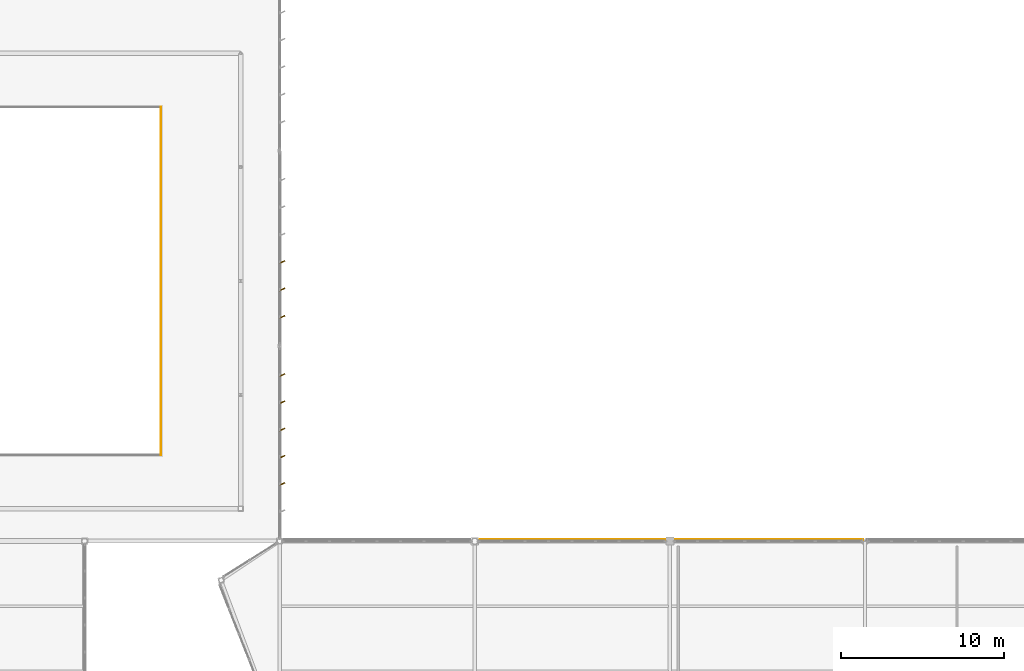
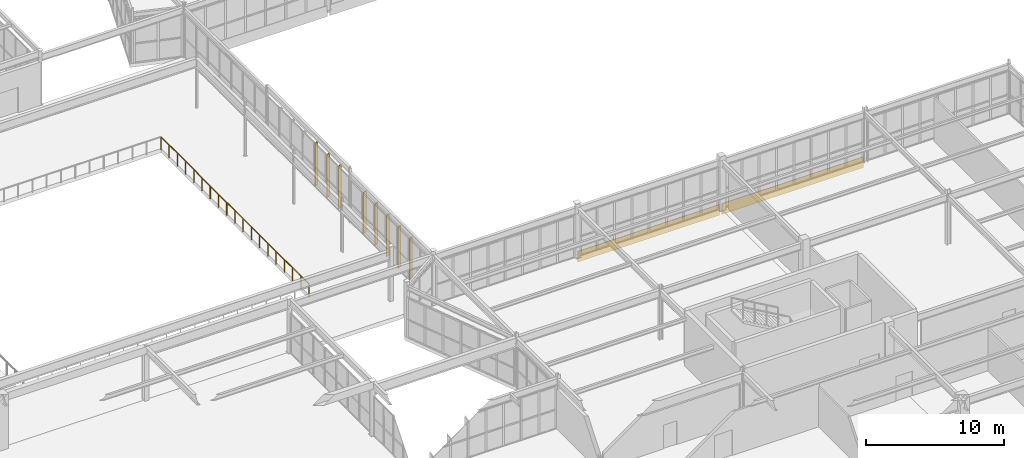
# One storey, part 180 of 186: 8 shading devices, 2 coverings, 1 railing.
"""IFC4 building model written with IfcOpenShell, lengths in metres."""

from ifc_helpers import new_model, si_unit, direction, frame, origin, origin_2d, place, context, subcontext, project, spatial, rectangle, circle, extrude, material, layer, layer_set, type_object, element, save


model = new_model("IFC4")

# Units and contexts
model_context = context("Model", 3, precision=1e-05, world=origin(), true_north=direction((0.0, 1.0)))
body_context = subcontext(model_context, "Body", "Model", "MODEL_VIEW")
ifc_project = project(units=[si_unit("LENGTHUNIT", "METRE"), si_unit("AREAUNIT", "SQUARE_METRE"), si_unit("VOLUMEUNIT", "CUBIC_METRE"), si_unit("PLANEANGLEUNIT", "RADIAN"), si_unit("MASSUNIT", "GRAM", prefix="KILO")], contexts=[model_context])

# Site, building, storey
site_placement = place(None, origin())
site = spatial("IfcSite", under=ifc_project, at=site_placement, CompositionType="ELEMENT")
building_placement = place(site_placement, origin())
building = spatial("IfcBuilding", under=site, at=building_placement, Name="Tarnwether General Hospital", CompositionType="ELEMENT")
storey_placement = place(building_placement, frame((0.0, 0.0, 9.60009765625)))
storey = spatial("IfcBuildingStorey", under=building, at=storey_placement, Name="L02", CompositionType="ELEMENT", Elevation=9.60009765625)

# Coverings
ifc_material_1 = material(Name="Folded zinc-titanium cladding")
ifc_layer_1 = layer(ifc_material_1, 0.0400390625)
ifc_layer_set_1 = layer_set([ifc_layer_1], Name="Folded zinc-titanium cladding")
covering_type = type_object("IfcCoveringType", Name="CV-CLD-ZNC", PredefinedType="CLADDING", material=ifc_layer_set_1)
for number, where, z_axis, x_axis, name in (
    (1, (162.0, 45.68994140625, -0.55517578125), (0.0, 0.0, 1.0), (1.0, 0.0, 0.0), "Deconstructivist Faceted Zinc Spandrel Blade 028"),
    (2, (174.0, 45.68994140625, -0.55517578125), (0.0, 0.0, 1.0), (1.0, 0.0, 0.0), "Deconstructivist Faceted Zinc Spandrel Blade 029"),
):
    element("IfcCovering", number, at=place(storey_placement, frame(where, z_axis=z_axis, x_axis=x_axis)), inside=storey, type_object=covering_type, Name=name, PredefinedType="CLADDING", context=body_context, shape_type="SweptSolid", body=[
        extrude(rectangle(XDim=11.800048828125, YDim=0.0400390625, at=origin_2d()), origin(), (0.0, 0.0, 1.0), 0.949951171875),
    ])

# Railing
ifc_material_2 = material(Name="Double glazed low-E glass", Category="glass")
railing_type = type_object("IfcRailingType", Name="RL-BAL-ATR", PredefinedType="BALUSTRADE", material=ifc_material_2)
railing_placement = place(storey_placement, frame((136.699951171875, 50.89990234375, 0.0)))
element("IfcRailing", 3, at=railing_placement, inside=storey, type_object=railing_type, Name="Main Hall Atrium Balustrade L02 2", PredefinedType="BALUSTRADE", context=body_context, shape_type="SweptSolid", body=[
    extrude(circle(Radius=0.02392578125, at=origin_2d()), frame((0.0, 0.0, 1.1259765625), z_axis=(0.0, 1.0, 0.0), x_axis=(-1.0, 0.0, 0.0)), (0.0, 0.0, 1.0), 21.400146484375),
    extrude(circle(Radius=0.02099609375, at=origin_2d()), origin(), (0.0, 0.0, 1.0), 1.101806640625),
    extrude(circle(Radius=0.02099609375, at=origin_2d()), frame((0.0, 1.18896484375, 0.0)), (0.0, 0.0, 1.0), 1.101806640625),
    extrude(circle(Radius=0.02099609375, at=origin_2d()), frame((0.0, 2.377685546875, 0.0)), (0.0, 0.0, 1.0), 1.101806640625),
    extrude(circle(Radius=0.02099609375, at=origin_2d()), frame((0.0, 3.566650390625, 0.0)), (0.0, 0.0, 1.0), 1.101806640625),
    extrude(circle(Radius=0.02099609375, at=origin_2d()), frame((0.0, 4.755615234375, 0.0)), (0.0, 0.0, 1.0), 1.101806640625),
    extrude(circle(Radius=0.02099609375, at=origin_2d()), frame((0.0, 5.944580078125, 0.0)), (0.0, 0.0, 1.0), 1.101806640625),
    extrude(circle(Radius=0.02099609375, at=origin_2d()), frame((0.0, 7.13330078125, 0.0)), (0.0, 0.0, 1.0), 1.101806640625),
    extrude(circle(Radius=0.02099609375, at=origin_2d()), frame((0.0, 8.322265625, 0.0)), (0.0, 0.0, 1.0), 1.101806640625),
    extrude(circle(Radius=0.02099609375, at=origin_2d()), frame((0.0, 9.51123046875, 0.0)), (0.0, 0.0, 1.0), 1.101806640625),
    extrude(circle(Radius=0.02099609375, at=origin_2d()), frame((0.0, 10.7001953125, 0.0)), (0.0, 0.0, 1.0), 1.101806640625),
    extrude(circle(Radius=0.02099609375, at=origin_2d()), frame((0.0, 11.888916015625, 0.0)), (0.0, 0.0, 1.0), 1.101806640625),
    extrude(circle(Radius=0.02099609375, at=origin_2d()), frame((0.0, 13.077880859375, 0.0)), (0.0, 0.0, 1.0), 1.101806640625),
    extrude(circle(Radius=0.02099609375, at=origin_2d()), frame((0.0, 14.266845703125, 0.0)), (0.0, 0.0, 1.0), 1.101806640625),
    extrude(circle(Radius=0.02099609375, at=origin_2d()), frame((0.0, 15.45556640625, 0.0)), (0.0, 0.0, 1.0), 1.101806640625),
    extrude(circle(Radius=0.02099609375, at=origin_2d()), frame((0.0, 16.64453125, 0.0)), (0.0, 0.0, 1.0), 1.101806640625),
    extrude(circle(Radius=0.02099609375, at=origin_2d()), frame((0.0, 17.83349609375, 0.0)), (0.0, 0.0, 1.0), 1.101806640625),
    extrude(circle(Radius=0.02099609375, at=origin_2d()), frame((0.0, 19.0224609375, 0.0)), (0.0, 0.0, 1.0), 1.101806640625),
    extrude(circle(Radius=0.02099609375, at=origin_2d()), frame((0.0, 20.211181640625, 0.0)), (0.0, 0.0, 1.0), 1.101806640625),
    extrude(circle(Radius=0.02099609375, at=origin_2d()), frame((0.0, 21.400146484375, 0.0)), (0.0, 0.0, 1.0), 1.101806640625),
])

# Shading devices
ifc_material_3 = material(Name="Champagne-bronze anodised aluminium", Category="aluminium")
ifc_layer_2 = layer(ifc_material_3, 0.06005859375)
ifc_layer_set_2 = layer_set([ifc_layer_2], Name="Champagne-bronze anodised aluminium")
shading_device_type = type_object("IfcShadingDeviceType", Name="SH-FIN-BRZ", PredefinedType="USERDEFINED", material=ifc_layer_set_2)
for number, where, z_axis, x_axis, name in (
    (4, (144.159912109375, 62.76708984375, 0.0498046875), (0.0, 0.0, 1.0), (0.422618261741, -0.906307787037, 0.0), "Champagne-Bronze Brise-Soleil Fin 0423"),
    (5, (144.159912109375, 61.0810546875, 0.0498046875), (0.0, 0.0, 1.0), (0.422618261741, -0.906307787037, 0.0), "Champagne-Bronze Brise-Soleil Fin 0424"),
    (6, (144.159912109375, 59.39501953125, 0.0498046875), (0.0, 0.0, 1.0), (0.422618261741, -0.906307787037, 0.0), "Champagne-Bronze Brise-Soleil Fin 0425"),
):
    element("IfcShadingDevice", number, at=place(storey_placement, frame(where, z_axis=z_axis, x_axis=x_axis)), inside=storey, type_object=shading_device_type, Name=name, ObjectType="SOLAR FIN", PredefinedType="USERDEFINED", context=body_context, shape_type="SweptSolid", body=[
        extrude(rectangle(XDim=0.06005859375, YDim=0.360107421875, at=origin_2d()), origin(), (0.0, 0.0, 1.0), 3.797119140625),
    ])
for number, where, z_axis, x_axis, name in (
    (7, (144.159912109375, 55.81591796875, 0.0498046875), (0.0, 0.0, 1.0), (0.422618261741, -0.906307787037, 0.0), "Champagne-Bronze Brise-Soleil Fin 0426"),
    (8, (144.159912109375, 54.14208984375, 0.0498046875), (0.0, 0.0, 1.0), (0.422618261741, -0.906307787037, 0.0), "Champagne-Bronze Brise-Soleil Fin 0427"),
    (9, (144.159912109375, 52.467041015625, 0.0498046875), (0.0, 0.0, 1.0), (0.422618261741, -0.906307787037, 0.0), "Champagne-Bronze Brise-Soleil Fin 0428"),
    (10, (144.159912109375, 50.79296875, 0.0498046875), (0.0, 0.0, 1.0), (0.422618261741, -0.906307787037, 0.0), "Champagne-Bronze Brise-Soleil Fin 0429"),
    (11, (144.159912109375, 49.118896484375, 0.0498046875), (0.0, 0.0, 1.0), (0.422618261741, -0.906307787037, 0.0), "Champagne-Bronze Brise-Soleil Fin 0430"),
):
    element("IfcShadingDevice", number, at=place(storey_placement, frame(where, z_axis=z_axis, x_axis=x_axis)), inside=storey, type_object=shading_device_type, Name=name, ObjectType="SOLAR FIN", PredefinedType="USERDEFINED", context=body_context, shape_type="SweptSolid", body=[
        extrude(rectangle(XDim=0.06005859375, YDim=0.360107421875, at=origin_2d()), origin(), (0.0, 0.0, 1.0), 3.637939453125),
    ])

save(model, "model.ifc")
